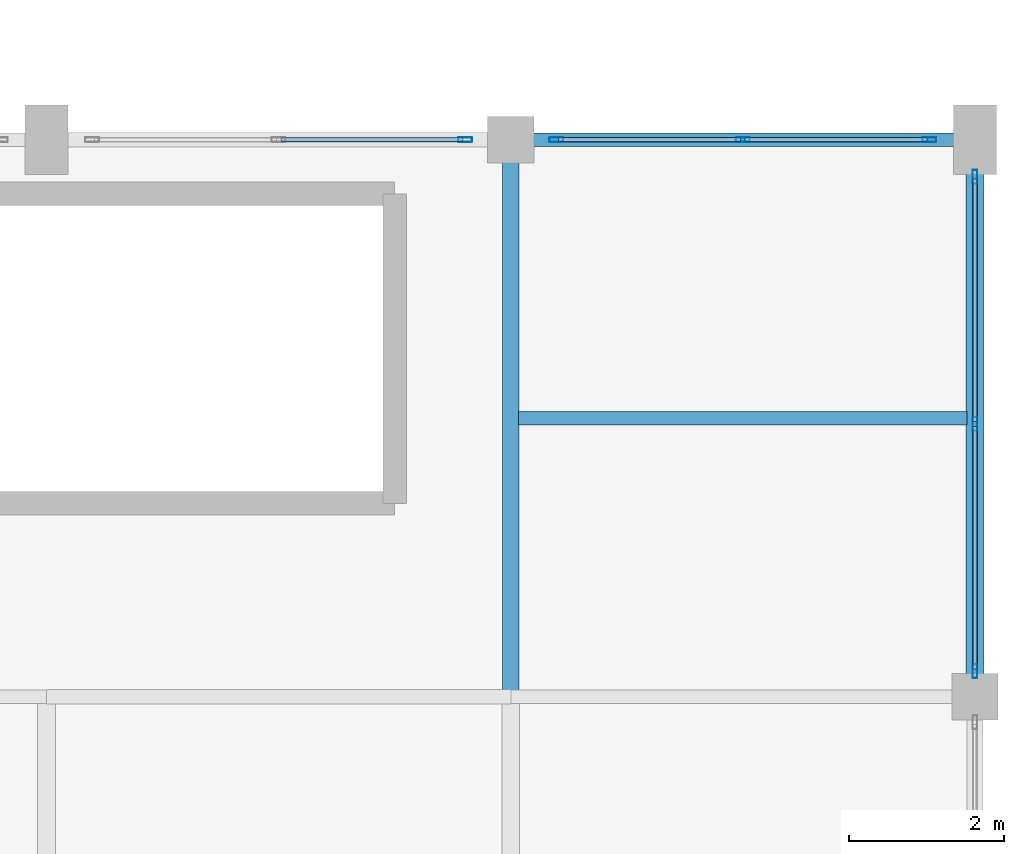
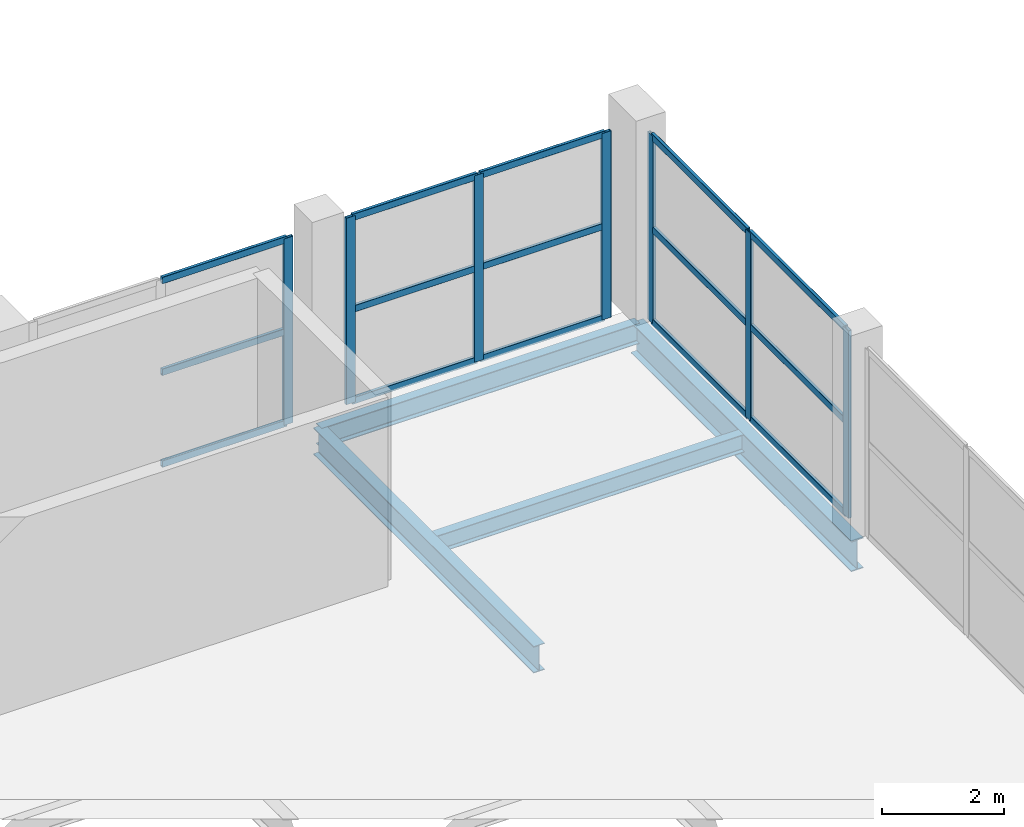
# One storey, part 87 of 127: 22 members, 4 beams, 3 elements without a shape of their own.
"""IFC4 building model written with IfcOpenShell, lengths in metres."""

from ifc_helpers import new_model, si_unit, direction, frame, origin, origin_2d, place, context, subcontext, project, spatial, hollow_rectangle, i_section, extrude, material, layer, layer_set, material_profile, profile_set, type_object, element, aggregate, save


model = new_model("IFC4")

# Units and contexts
model_context = context("Model", 3, precision=1e-05, world=origin(), true_north=direction((0.0, 1.0)))
body_context = subcontext(model_context, "Body", "Model", "MODEL_VIEW")
ifc_project = project(units=[si_unit("LENGTHUNIT", "METRE"), si_unit("AREAUNIT", "SQUARE_METRE"), si_unit("VOLUMEUNIT", "CUBIC_METRE"), si_unit("PLANEANGLEUNIT", "RADIAN"), si_unit("MASSUNIT", "GRAM", prefix="KILO")], contexts=[model_context])

# Site, building, storey
site_placement = place(None, origin())
site = spatial("IfcSite", under=ifc_project, at=site_placement, CompositionType="ELEMENT")
building_placement = place(site_placement, origin())
building = spatial("IfcBuilding", under=site, at=building_placement, Name="Dunvalen Ferry Terminal", CompositionType="ELEMENT")
storey_placement = place(building_placement, frame((0.0, 0.0, 5.760009765625)))
storey = spatial("IfcBuildingStorey", under=building, at=storey_placement, Name="L01", CompositionType="ELEMENT", Elevation=5.760009765625)

# Curtain wall, member
ifc_material_1 = material(Name="Anodised marine aluminium and solar-control glazing", Category="aluminium")
ifc_layer_1 = layer(ifc_material_1, 0.219970703125, Name="Anodised marine aluminium and solar-control glazing")
ifc_layer_set_1 = layer_set([ifc_layer_1], Name="Anodised marine aluminium and solar-control glazing")
curtain_wall_type_1 = type_object("IfcCurtainWallType", Name="ENV-CW-SYS-02", PredefinedType="NOTDEFINED", material=ifc_layer_set_1)
curtain_wall_1_placement = place(storey_placement, origin())
curtain_wall_1 = element("IfcCurtainWall", 1, at=curtain_wall_1_placement, inside=storey, type_object=curtain_wall_type_1, Name="L01 Curtain Wall CW-V2N-L01-09", PredefinedType="NOTDEFINED")
ifc_material_2 = material(Name="Anodised marine aluminium EN AW-6063 T6", Category="aluminium")
ifc_material_profile_1 = material_profile(ifc_material_2, hollow_rectangle(XDim=0.06005859375, YDim=0.179931640625, WallThickness=0.00341796875, InnerFilletRadius=0.00341796875, OuterFilletRadius=0.007080078125, at=origin_2d()), Name="Anodised marine aluminium EN AW-6063 T6")
ifc_profile_set_1 = profile_set([ifc_material_profile_1], Name="Anodised marine aluminium EN AW-6063 T6")
member_type_1 = type_object("IfcMemberType", Name="ENV-CW-MUL-2", PredefinedType="MULLION", material=ifc_profile_set_1)
member_1_placement = place(storey_placement, frame((161.409912109375, 86.39990234375, 0.0), z_axis=(0.0, 0.0, 1.0), x_axis=(0.0, 1.0, 0.0)))
member_1 = element("IfcMember", 2, at=member_1_placement, type_object=member_type_1, Name="CW-02 mullion 3", PredefinedType="MULLION", context=body_context, shape_type="SweptSolid", body=[
    extrude(hollow_rectangle(XDim=0.06005859375, YDim=0.179931640625, WallThickness=0.00341796875, InnerFilletRadius=0.00341796875, OuterFilletRadius=0.007080078125, at=origin_2d()), origin(), (0.0, 0.0, 1.0), 3.719970703125),
])

# Curtain wall, members
curtain_wall_2_placement = place(storey_placement, origin())
curtain_wall_2 = element("IfcCurtainWall", 3, at=curtain_wall_2_placement, inside=storey, type_object=curtain_wall_type_1, Name="L01 Curtain Wall CW-V2N-L01-10", PredefinedType="NOTDEFINED")
member_2_placement = place(storey_placement, frame((162.590087890625, 86.39990234375, 0.0), z_axis=(0.0, 0.0, 1.0), x_axis=(0.0, 1.0, 0.0)))
member_2 = element("IfcMember", 4, at=member_2_placement, type_object=member_type_1, Name="CW-02 mullion 1", PredefinedType="MULLION", context=body_context, shape_type="SweptSolid", body=[
    extrude(hollow_rectangle(XDim=0.06005859375, YDim=0.179931640625, WallThickness=0.00341796875, InnerFilletRadius=0.00341796875, OuterFilletRadius=0.007080078125, at=origin_2d()), origin(), (0.0, 0.0, 1.0), 3.719970703125),
])
member_3_placement = place(storey_placement, frame((165.0, 86.39990234375, 0.0), z_axis=(0.0, 0.0, 1.0), x_axis=(0.0, 1.0, 0.0)))
member_3 = element("IfcMember", 5, at=member_3_placement, type_object=member_type_1, Name="CW-02 mullion 2", PredefinedType="MULLION", context=body_context, shape_type="SweptSolid", body=[
    extrude(hollow_rectangle(XDim=0.06005859375, YDim=0.179931640625, WallThickness=0.00341796875, InnerFilletRadius=0.00341796875, OuterFilletRadius=0.007080078125, at=origin_2d()), origin(), (0.0, 0.0, 1.0), 3.719970703125),
])
member_4_placement = place(storey_placement, frame((167.409912109375, 86.39990234375, 0.0), z_axis=(0.0, 0.0, 1.0), x_axis=(0.0, 1.0, 0.0)))
member_4 = element("IfcMember", 6, at=member_4_placement, type_object=member_type_1, Name="CW-02 mullion 3", PredefinedType="MULLION", context=body_context, shape_type="SweptSolid", body=[
    extrude(hollow_rectangle(XDim=0.06005859375, YDim=0.179931640625, WallThickness=0.00341796875, InnerFilletRadius=0.00341796875, OuterFilletRadius=0.007080078125, at=origin_2d()), origin(), (0.0, 0.0, 1.0), 3.719970703125),
])

ifc_layer_2 = layer(ifc_material_1, 0.219970703125, Name="Anodised marine aluminium and solar-control glazing")
ifc_layer_set_2 = layer_set([ifc_layer_2], Name="Anodised marine aluminium and solar-control glazing")
curtain_wall_type_2 = type_object("IfcCurtainWallType", Name="ENV-CW-SYS-04", PredefinedType="NOTDEFINED", material=ifc_layer_set_2)
curtain_wall_3_placement = place(storey_placement, origin())
curtain_wall_3 = element("IfcCurtainWall", 7, at=curtain_wall_3_placement, inside=storey, type_object=curtain_wall_type_2, Name="L01 Curtain Wall CW-V2E-L01-4", PredefinedType="NOTDEFINED")
member_5_placement = place(storey_placement, frame((168.0, 79.530029296875, 0.02001953125), z_axis=(0.0, 0.0, 1.0), x_axis=(-1.0, 0.0, 0.0)))
member_5 = element("IfcMember", 8, at=member_5_placement, type_object=member_type_1, Name="CW-04 mullion 1", PredefinedType="MULLION", context=body_context, shape_type="SweptSolid", body=[
    extrude(hollow_rectangle(XDim=0.06005859375, YDim=0.179931640625, WallThickness=0.00341796875, InnerFilletRadius=0.00341796875, OuterFilletRadius=0.007080078125, at=origin_2d()), origin(), (0.0, 0.0, 1.0), 3.739990234375),
])
member_6_placement = place(storey_placement, frame((168.0, 82.72509765625, 0.02001953125), z_axis=(0.0, 0.0, 1.0), x_axis=(-1.0, 0.0, 0.0)))
member_6 = element("IfcMember", 9, at=member_6_placement, type_object=member_type_1, Name="CW-04 mullion 2", PredefinedType="MULLION", context=body_context, shape_type="SweptSolid", body=[
    extrude(hollow_rectangle(XDim=0.06005859375, YDim=0.179931640625, WallThickness=0.00341796875, InnerFilletRadius=0.00341796875, OuterFilletRadius=0.007080078125, at=origin_2d()), origin(), (0.0, 0.0, 1.0), 3.739990234375),
])
member_7_placement = place(storey_placement, frame((168.0, 85.919921875, 0.02001953125), z_axis=(0.0, 0.0, 1.0), x_axis=(-1.0, 0.0, 0.0)))
member_7 = element("IfcMember", 10, at=member_7_placement, type_object=member_type_1, Name="CW-04 mullion 3", PredefinedType="MULLION", context=body_context, shape_type="SweptSolid", body=[
    extrude(hollow_rectangle(XDim=0.06005859375, YDim=0.179931640625, WallThickness=0.00341796875, InnerFilletRadius=0.00341796875, OuterFilletRadius=0.007080078125, at=origin_2d()), origin(), (0.0, 0.0, 1.0), 3.739990234375),
])

# Member
ifc_material_profile_2 = material_profile(ifc_material_2, hollow_rectangle(XDim=0.06005859375, YDim=0.135009765625, WallThickness=0.003173828125, InnerFilletRadius=0.003173828125, OuterFilletRadius=0.00634765625, at=origin_2d()), Name="Anodised marine aluminium EN AW-6063 T6")
ifc_profile_set_2 = profile_set([ifc_material_profile_2], Name="Anodised marine aluminium EN AW-6063 T6")
member_type_2 = type_object("IfcMemberType", Name="ENV-CW-TRN-2", PredefinedType="USERDEFINED", material=ifc_profile_set_2)
member_8_placement = place(storey_placement, frame((159.030029296875, 86.39990234375, 0.030029296875), z_axis=(1.0, 0.0, 0.0), x_axis=(0.0, 1.0, 0.0)))
member_8 = element("IfcMember", 11, at=member_8_placement, type_object=member_type_2, Name="CW-02 transom 2.1", ObjectType="TRANSOM", PredefinedType="USERDEFINED", context=body_context, shape_type="SweptSolid", body=[
    extrude(hollow_rectangle(XDim=0.06005859375, YDim=0.135009765625, WallThickness=0.003173828125, InnerFilletRadius=0.003173828125, OuterFilletRadius=0.00634765625, at=origin_2d()), origin(), (0.0, 0.0, 1.0), 2.349853515625),
])

member_9_placement = place(storey_placement, frame((159.030029296875, 86.39990234375, 1.860107421875), z_axis=(1.0, 0.0, 0.0), x_axis=(0.0, 1.0, 0.0)))
member_9 = element("IfcMember", 12, at=member_9_placement, type_object=member_type_2, Name="CW-02 transom 2.2", ObjectType="TRANSOM", PredefinedType="USERDEFINED", context=body_context, shape_type="SweptSolid", body=[
    extrude(hollow_rectangle(XDim=0.06005859375, YDim=0.135009765625, WallThickness=0.003173828125, InnerFilletRadius=0.003173828125, OuterFilletRadius=0.00634765625, at=origin_2d()), origin(), (0.0, 0.0, 1.0), 2.349853515625),
])

member_10_placement = place(storey_placement, frame((159.030029296875, 86.39990234375, 3.68994140625), z_axis=(1.0, 0.0, 0.0), x_axis=(0.0, 1.0, 0.0)))
member_10 = element("IfcMember", 13, at=member_10_placement, type_object=member_type_2, Name="CW-02 transom 2.3", ObjectType="TRANSOM", PredefinedType="USERDEFINED", context=body_context, shape_type="SweptSolid", body=[
    extrude(hollow_rectangle(XDim=0.06005859375, YDim=0.135009765625, WallThickness=0.003173828125, InnerFilletRadius=0.003173828125, OuterFilletRadius=0.00634765625, at=origin_2d()), origin(), (0.0, 0.0, 1.0), 2.349853515625),
])

aggregate(curtain_wall_1, [member_1, member_8, member_9, member_10])

member_11_placement = place(storey_placement, frame((162.6201171875, 86.39990234375, 0.030029296875), z_axis=(1.0, 0.0, 0.0), x_axis=(0.0, 1.0, 0.0)))
member_11 = element("IfcMember", 14, at=member_11_placement, type_object=member_type_2, Name="CW-02 transom 1.1", ObjectType="TRANSOM", PredefinedType="USERDEFINED", context=body_context, shape_type="SweptSolid", body=[
    extrude(hollow_rectangle(XDim=0.06005859375, YDim=0.135009765625, WallThickness=0.003173828125, InnerFilletRadius=0.003173828125, OuterFilletRadius=0.00634765625, at=origin_2d()), origin(), (0.0, 0.0, 1.0), 2.349853515625),
])

member_12_placement = place(storey_placement, frame((162.6201171875, 86.39990234375, 1.860107421875), z_axis=(1.0, 0.0, 0.0), x_axis=(0.0, 1.0, 0.0)))
member_12 = element("IfcMember", 15, at=member_12_placement, type_object=member_type_2, Name="CW-02 transom 1.2", ObjectType="TRANSOM", PredefinedType="USERDEFINED", context=body_context, shape_type="SweptSolid", body=[
    extrude(hollow_rectangle(XDim=0.06005859375, YDim=0.135009765625, WallThickness=0.003173828125, InnerFilletRadius=0.003173828125, OuterFilletRadius=0.00634765625, at=origin_2d()), origin(), (0.0, 0.0, 1.0), 2.349853515625),
])

member_13_placement = place(storey_placement, frame((162.6201171875, 86.39990234375, 3.68994140625), z_axis=(1.0, 0.0, 0.0), x_axis=(0.0, 1.0, 0.0)))
member_13 = element("IfcMember", 16, at=member_13_placement, type_object=member_type_2, Name="CW-02 transom 1.3", ObjectType="TRANSOM", PredefinedType="USERDEFINED", context=body_context, shape_type="SweptSolid", body=[
    extrude(hollow_rectangle(XDim=0.06005859375, YDim=0.135009765625, WallThickness=0.003173828125, InnerFilletRadius=0.003173828125, OuterFilletRadius=0.00634765625, at=origin_2d()), origin(), (0.0, 0.0, 1.0), 2.349853515625),
])

member_14_placement = place(storey_placement, frame((165.030029296875, 86.39990234375, 0.030029296875), z_axis=(1.0, 0.0, 0.0), x_axis=(0.0, 1.0, 0.0)))
member_14 = element("IfcMember", 17, at=member_14_placement, type_object=member_type_2, Name="CW-02 transom 2.1", ObjectType="TRANSOM", PredefinedType="USERDEFINED", context=body_context, shape_type="SweptSolid", body=[
    extrude(hollow_rectangle(XDim=0.06005859375, YDim=0.135009765625, WallThickness=0.003173828125, InnerFilletRadius=0.003173828125, OuterFilletRadius=0.00634765625, at=origin_2d()), origin(), (0.0, 0.0, 1.0), 2.349853515625),
])

member_15_placement = place(storey_placement, frame((165.030029296875, 86.39990234375, 1.860107421875), z_axis=(1.0, 0.0, 0.0), x_axis=(0.0, 1.0, 0.0)))
member_15 = element("IfcMember", 18, at=member_15_placement, type_object=member_type_2, Name="CW-02 transom 2.2", ObjectType="TRANSOM", PredefinedType="USERDEFINED", context=body_context, shape_type="SweptSolid", body=[
    extrude(hollow_rectangle(XDim=0.06005859375, YDim=0.135009765625, WallThickness=0.003173828125, InnerFilletRadius=0.003173828125, OuterFilletRadius=0.00634765625, at=origin_2d()), origin(), (0.0, 0.0, 1.0), 2.349853515625),
])

member_16_placement = place(storey_placement, frame((165.030029296875, 86.39990234375, 3.68994140625), z_axis=(1.0, 0.0, 0.0), x_axis=(0.0, 1.0, 0.0)))
member_16 = element("IfcMember", 19, at=member_16_placement, type_object=member_type_2, Name="CW-02 transom 2.3", ObjectType="TRANSOM", PredefinedType="USERDEFINED", context=body_context, shape_type="SweptSolid", body=[
    extrude(hollow_rectangle(XDim=0.06005859375, YDim=0.135009765625, WallThickness=0.003173828125, InnerFilletRadius=0.003173828125, OuterFilletRadius=0.00634765625, at=origin_2d()), origin(), (0.0, 0.0, 1.0), 2.349853515625),
])

aggregate(curtain_wall_2, [member_2, member_3, member_4, member_11, member_12, member_13, member_14, member_15, member_16])

member_17_placement = place(storey_placement, frame((168.0, 79.56005859375, 0.050048828125), z_axis=(0.0, 1.0, 0.0), x_axis=(-1.0, 0.0, 0.0)))
member_17 = element("IfcMember", 20, at=member_17_placement, type_object=member_type_2, Name="CW-04 transom 1.1", ObjectType="TRANSOM", PredefinedType="USERDEFINED", context=body_context, shape_type="SweptSolid", body=[
    extrude(hollow_rectangle(XDim=0.06005859375, YDim=0.135009765625, WallThickness=0.003173828125, InnerFilletRadius=0.003173828125, OuterFilletRadius=0.00634765625, at=origin_2d()), origin(), (0.0, 0.0, 1.0), 3.135009765625),
])

member_18_placement = place(storey_placement, frame((168.0, 79.56005859375, 1.889892578125), z_axis=(0.0, 1.0, 0.0), x_axis=(-1.0, 0.0, 0.0)))
member_18 = element("IfcMember", 21, at=member_18_placement, type_object=member_type_2, Name="CW-04 transom 1.2", ObjectType="TRANSOM", PredefinedType="USERDEFINED", context=body_context, shape_type="SweptSolid", body=[
    extrude(hollow_rectangle(XDim=0.06005859375, YDim=0.135009765625, WallThickness=0.003173828125, InnerFilletRadius=0.003173828125, OuterFilletRadius=0.00634765625, at=origin_2d()), origin(), (0.0, 0.0, 1.0), 3.135009765625),
])

member_19_placement = place(storey_placement, frame((168.0, 79.56005859375, 3.72998046875), z_axis=(0.0, 1.0, 0.0), x_axis=(-1.0, 0.0, 0.0)))
member_19 = element("IfcMember", 22, at=member_19_placement, type_object=member_type_2, Name="CW-04 transom 1.3", ObjectType="TRANSOM", PredefinedType="USERDEFINED", context=body_context, shape_type="SweptSolid", body=[
    extrude(hollow_rectangle(XDim=0.06005859375, YDim=0.135009765625, WallThickness=0.003173828125, InnerFilletRadius=0.003173828125, OuterFilletRadius=0.00634765625, at=origin_2d()), origin(), (0.0, 0.0, 1.0), 3.135009765625),
])

member_20_placement = place(storey_placement, frame((168.0, 82.7548828125, 0.050048828125), z_axis=(0.0, 1.0, 0.0), x_axis=(-1.0, 0.0, 0.0)))
member_20 = element("IfcMember", 23, at=member_20_placement, type_object=member_type_2, Name="CW-04 transom 2.1", ObjectType="TRANSOM", PredefinedType="USERDEFINED", context=body_context, shape_type="SweptSolid", body=[
    extrude(hollow_rectangle(XDim=0.06005859375, YDim=0.135009765625, WallThickness=0.003173828125, InnerFilletRadius=0.003173828125, OuterFilletRadius=0.00634765625, at=origin_2d()), origin(), (0.0, 0.0, 1.0), 3.135009765625),
])

member_21_placement = place(storey_placement, frame((168.0, 82.7548828125, 1.889892578125), z_axis=(0.0, 1.0, 0.0), x_axis=(-1.0, 0.0, 0.0)))
member_21 = element("IfcMember", 24, at=member_21_placement, type_object=member_type_2, Name="CW-04 transom 2.2", ObjectType="TRANSOM", PredefinedType="USERDEFINED", context=body_context, shape_type="SweptSolid", body=[
    extrude(hollow_rectangle(XDim=0.06005859375, YDim=0.135009765625, WallThickness=0.003173828125, InnerFilletRadius=0.003173828125, OuterFilletRadius=0.00634765625, at=origin_2d()), origin(), (0.0, 0.0, 1.0), 3.135009765625),
])

member_22_placement = place(storey_placement, frame((168.0, 82.7548828125, 3.72998046875), z_axis=(0.0, 1.0, 0.0), x_axis=(-1.0, 0.0, 0.0)))
member_22 = element("IfcMember", 25, at=member_22_placement, type_object=member_type_2, Name="CW-04 transom 2.3", ObjectType="TRANSOM", PredefinedType="USERDEFINED", context=body_context, shape_type="SweptSolid", body=[
    extrude(hollow_rectangle(XDim=0.06005859375, YDim=0.135009765625, WallThickness=0.003173828125, InnerFilletRadius=0.003173828125, OuterFilletRadius=0.00634765625, at=origin_2d()), origin(), (0.0, 0.0, 1.0), 3.135009765625),
])

aggregate(curtain_wall_3, [member_5, member_6, member_7, member_17, member_18, member_19, member_20, member_21, member_22])

# Beams
ifc_material_3 = material(Name="Steel S355", Category="steel")
ifc_material_profile_3 = material_profile(ifc_material_3, i_section(OverallWidth=0.17138671875, OverallDepth=0.35498046875, WebThickness=0.00732421875, FlangeThickness=0.011474609375, FilletRadius=0.01025390625, at=origin_2d()), Name="Steel S355")
ifc_profile_set_3 = profile_set([ifc_material_profile_3], Name="Steel S355")
beam_type_1 = type_object("IfcBeamType", Name="STR-BM-UKB356", PredefinedType="JOIST", material=ifc_profile_set_3)
beam_1_placement = place(storey_placement, frame((162.10009765625, 82.800048828125, -0.4375), z_axis=(1.0, 0.0, 0.0), x_axis=(0.0, 1.0, 0.0)))
element("IfcBeam", 26, at=beam_1_placement, inside=storey, type_object=beam_type_1, Name="L01 V2M Secondary Joist 017", PredefinedType="JOIST", context=body_context, shape_type="SweptSolid", body=[
    extrude(i_section(OverallWidth=0.17138671875, OverallDepth=0.35498046875, WebThickness=0.00732421875, FlangeThickness=0.011474609375, FilletRadius=0.01025390625, at=origin_2d()), origin(), (0.0, 0.0, 1.0), 5.7998046875),
])
ifc_material_profile_4 = material_profile(ifc_material_3, i_section(OverallWidth=0.177978515625, OverallDepth=0.406494140625, WebThickness=0.0078125, FlangeThickness=0.0126953125, FilletRadius=0.01025390625, at=origin_2d()), Name="Steel S355")
ifc_profile_set_4 = profile_set([ifc_material_profile_4], Name="Steel S355")
beam_type_2 = type_object("IfcBeamType", Name="STR-BM-UKB406", PredefinedType="JOIST", material=ifc_profile_set_4)
beam_2_placement = place(storey_placement, frame((162.0, 86.39990234375, -0.463134765625), z_axis=(1.0, 0.0, 0.0), x_axis=(0.0, 1.0, 0.0)))
element("IfcBeam", 27, at=beam_2_placement, inside=storey, type_object=beam_type_2, Name="L01 V2M Primary Beam X-043", PredefinedType="JOIST", context=body_context, shape_type="SweptSolid", body=[
    extrude(i_section(OverallWidth=0.177978515625, OverallDepth=0.406494140625, WebThickness=0.0078125, FlangeThickness=0.0126953125, FilletRadius=0.01025390625, at=origin_2d()), origin(), (0.0, 0.0, 1.0), 6.0),
])
ifc_material_profile_5 = material_profile(ifc_material_3, i_section(OverallWidth=0.209228515625, OverallDepth=0.533203125, WebThickness=0.010009765625, FlangeThickness=0.015625, FilletRadius=0.0126953125, at=origin_2d()), Name="Steel S355")
ifc_profile_set_5 = profile_set([ifc_material_profile_5], Name="Steel S355")
beam_type_3 = type_object("IfcBeamType", Name="STR-BM-UKB533", PredefinedType="BEAM", material=ifc_profile_set_5)
beam_3_placement = place(storey_placement, frame((162.0, 79.199951171875, -0.526611328125), z_axis=(0.0, 1.0, 0.0), x_axis=(-1.0, 0.0, 0.0)))
element("IfcBeam", 28, at=beam_3_placement, inside=storey, type_object=beam_type_3, Name="L01 V2M Primary Girder Y-074", PredefinedType="BEAM", context=body_context, shape_type="SweptSolid", body=[
    extrude(i_section(OverallWidth=0.209228515625, OverallDepth=0.533203125, WebThickness=0.010009765625, FlangeThickness=0.015625, FilletRadius=0.0126953125, at=origin_2d()), origin(), (0.0, 0.0, 1.0), 7.199951171875),
])
ifc_material_profile_6 = material_profile(ifc_material_3, i_section(OverallWidth=0.228271484375, OverallDepth=0.607666015625, WebThickness=0.010986328125, FlangeThickness=0.017333984375, FilletRadius=0.0126953125, at=origin_2d()), Name="Steel S355")
ifc_profile_set_6 = profile_set([ifc_material_profile_6], Name="Steel S355")
beam_type_4 = type_object("IfcBeamType", Name="STR-BM-UKB610", PredefinedType="BEAM", material=ifc_profile_set_6)
beam_4_placement = place(storey_placement, frame((168.0, 79.199951171875, -0.563720703125), z_axis=(0.0, 1.0, 0.0), x_axis=(-1.0, 0.0, 0.0)))
element("IfcBeam", 29, at=beam_4_placement, inside=storey, type_object=beam_type_4, Name="L01 V2M Primary Girder Y-079", PredefinedType="BEAM", context=body_context, shape_type="SweptSolid", body=[
    extrude(i_section(OverallWidth=0.228271484375, OverallDepth=0.607666015625, WebThickness=0.010986328125, FlangeThickness=0.017333984375, FilletRadius=0.0126953125, at=origin_2d()), origin(), (0.0, 0.0, 1.0), 7.199951171875),
])

save(model, "model.ifc")
